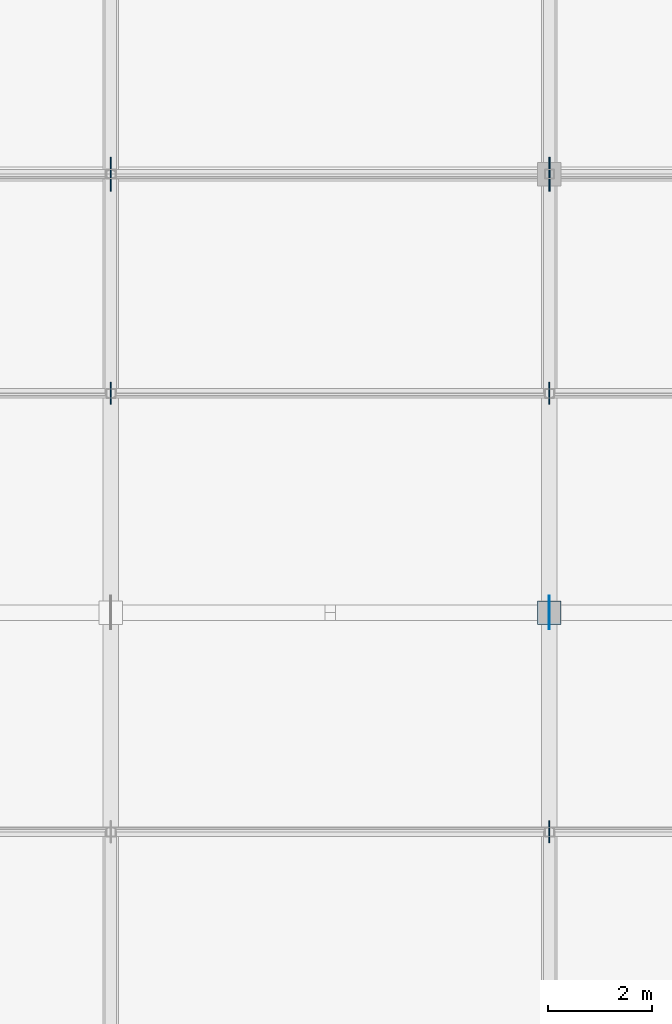
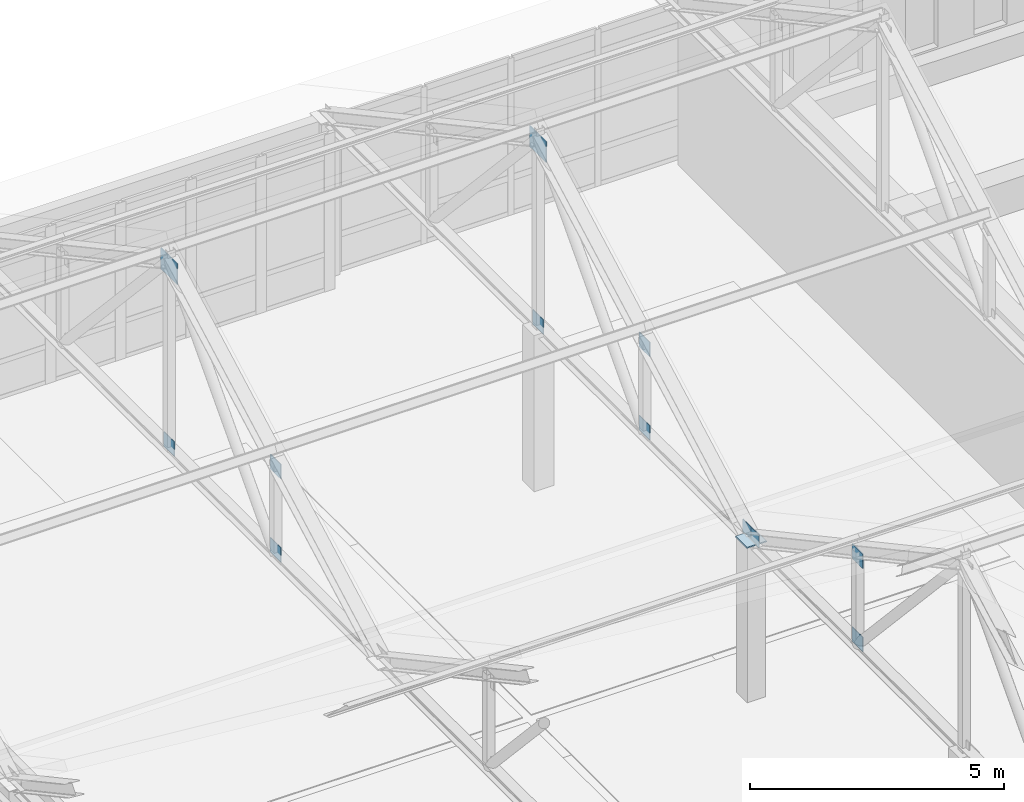
# One storey, part 79 of 110: 13 plates.
"""IFC4 building model written with IfcOpenShell, lengths in metres."""

from ifc_helpers import new_model, si_unit, direction, frame, origin, origin_2d, place, context, subcontext, project, spatial, rectangle, extrude, material, layer, layer_set, type_object, element, save


model = new_model("IFC4")

# Units and contexts
model_context = context("Model", 3, precision=1e-05, world=origin(), true_north=direction((0.0, 1.0)))
body_context = subcontext(model_context, "Body", "Model", "MODEL_VIEW")
ifc_project = project(units=[si_unit("LENGTHUNIT", "METRE"), si_unit("AREAUNIT", "SQUARE_METRE"), si_unit("VOLUMEUNIT", "CUBIC_METRE"), si_unit("PLANEANGLEUNIT", "RADIAN"), si_unit("MASSUNIT", "GRAM", prefix="KILO")], contexts=[model_context])

# Site, building, storey
site_placement = place(None, origin())
site = spatial("IfcSite", under=ifc_project, at=site_placement, CompositionType="ELEMENT")
building_placement = place(site_placement, origin())
building = spatial("IfcBuilding", under=site, at=building_placement, Name="Kveldsbrygga Polytechnic", CompositionType="ELEMENT")
storey_placement = place(building_placement, frame((0.0, 0.0, 9.860107421875)))
storey = spatial("IfcBuildingStorey", under=building, at=storey_placement, Name="L02", CompositionType="ELEMENT", Elevation=9.860107421875)

# Plates
ifc_material = material(Name="Steel S355", Category="steel")
ifc_layer_1 = layer(ifc_material, 0.030029296875)
ifc_layer_set_1 = layer_set([ifc_layer_1], Name="Steel S355")
plate_type_1 = type_object("IfcPlateType", Name="CAP-BEAR-450", PredefinedType="SHEET", material=ifc_layer_set_1)
plate_placement = place(storey_placement, frame((92.39990234375, 100.800048828125, 3.75), z_axis=(0.0, 0.0, 1.0), x_axis=(1.0, 0.0, 0.0)))
element("IfcPlate", 1, at=plate_placement, inside=storey, type_object=plate_type_1, Name="Truss Bearing Plate V2L1-T07-B", PredefinedType="SHEET", context=body_context, shape_type="SweptSolid", body=[
    extrude(rectangle(XDim=0.449951171875, YDim=0.449951171875, at=origin_2d()), origin(), (0.0, 0.0, 1.0), 0.030029296875),
])
ifc_layer_2 = layer(ifc_material, 0.02490234375)
ifc_layer_set_2 = layer_set([ifc_layer_2], Name="Steel S355")
plate_type_2 = type_object("IfcPlateType", Name="GUS-APEX-650", PredefinedType="SHEET", material=ifc_layer_set_2)
for number, where, z_axis, x_axis, name in (
    (2, (84.0, 109.199951171875, 7.929931640625), (0.0, 0.0, 1.0), (1.0, 0.0, 0.0), "Truss Gusset Plate V2L2-T06-GP-2"),
    (3, (92.39990234375, 109.199951171875, 7.929931640625), (0.0, 0.0, 1.0), (1.0, 0.0, 0.0), "Truss Gusset Plate V2L2-T07-GP-2"),
):
    element("IfcPlate", number, at=place(storey_placement, frame(where, z_axis=z_axis, x_axis=x_axis)), inside=storey, type_object=plate_type_2, Name=name, PredefinedType="SHEET", context=body_context, shape_type="SweptSolid", body=[
        extrude(rectangle(XDim=0.02490234375, YDim=0.64990234375, at=origin_2d()), origin(), (0.0, 0.0, 1.0), 0.5),
    ])
ifc_layer_3 = layer(ifc_material, 0.01806640625)
ifc_layer_set_3 = layer_set([ifc_layer_3], Name="Steel S355")
plate_type_3 = type_object("IfcPlateType", Name="GUS-BRACE-320", PredefinedType="SHEET", material=ifc_layer_set_3)
for number, where, z_axis, x_axis, name in (
    (4, (92.39990234375, 100.639892578125, 3.73974609375), (0.0, 0.0, 1.0), (1.0, 0.0, 0.0), "Truss Eaves Node Gusset V2L1-T07-EGP-B"),
    (5, (92.39990234375, 100.9599609375, 3.73974609375), (0.0, 0.0, 1.0), (1.0, 0.0, 0.0), "Truss Eaves Node Gusset V2L2-T07-EGP-A"),
):
    element("IfcPlate", number, at=place(storey_placement, frame(where, z_axis=z_axis, x_axis=x_axis)), inside=storey, type_object=plate_type_3, Name=name, PredefinedType="SHEET", context=body_context, shape_type="SweptSolid", body=[
        extrude(rectangle(XDim=0.01806640625, YDim=0.320068359375, at=origin_2d()), origin(), (0.0, 0.0, 1.0), 0.320068359375),
    ])
ifc_layer_4 = layer(ifc_material, 0.02001953125)
ifc_layer_set_4 = layer_set([ifc_layer_4], Name="Steel S355")
plate_type_4 = type_object("IfcPlateType", Name="GUS-LECT-420", PredefinedType="SHEET", material=ifc_layer_set_4)
for number, where, z_axis, x_axis, name in (
    (6, (92.39990234375, 96.60009765625, 5.729736328125), (0.0, 0.0, 1.0), (1.0, 0.0, 0.0), "Truss Gusset Plate V2L1-T07-GP-3"),
    (7, (92.39990234375, 96.60009765625, 3.724853515625), (0.0, 0.0, 1.0), (1.0, 0.0, 0.0), "Truss Bottom-Chord Node Gusset V2L1-T07-BGP-3"),
    (8, (84.0, 105.0, 5.729736328125), (0.0, 0.0, 1.0), (1.0, 0.0, 0.0), "Truss Gusset Plate V2L2-T06-GP-1"),
    (9, (84.0, 105.0, 3.724853515625), (0.0, 0.0, 1.0), (1.0, 0.0, 0.0), "Truss Bottom-Chord Node Gusset V2L2-T06-BGP-1"),
    (10, (84.0, 109.199951171875, 3.724853515625), (0.0, 0.0, 1.0), (1.0, 0.0, 0.0), "Truss Bottom-Chord Node Gusset V2L2-T06-BGP-2"),
    (11, (92.39990234375, 105.0, 5.729736328125), (0.0, 0.0, 1.0), (1.0, 0.0, 0.0), "Truss Gusset Plate V2L2-T07-GP-1"),
    (12, (92.39990234375, 105.0, 3.724853515625), (0.0, 0.0, 1.0), (1.0, 0.0, 0.0), "Truss Bottom-Chord Node Gusset V2L2-T07-BGP-1"),
    (13, (92.39990234375, 109.199951171875, 3.724853515625), (0.0, 0.0, 1.0), (1.0, 0.0, 0.0), "Truss Bottom-Chord Node Gusset V2L2-T07-BGP-2"),
):
    element("IfcPlate", number, at=place(storey_placement, frame(where, z_axis=z_axis, x_axis=x_axis)), inside=storey, type_object=plate_type_4, Name=name, PredefinedType="SHEET", context=body_context, shape_type="SweptSolid", body=[
        extrude(rectangle(XDim=0.02001953125, YDim=0.419921875, at=origin_2d()), origin(), (0.0, 0.0, 1.0), 0.35009765625),
    ])

save(model, "model.ifc")
